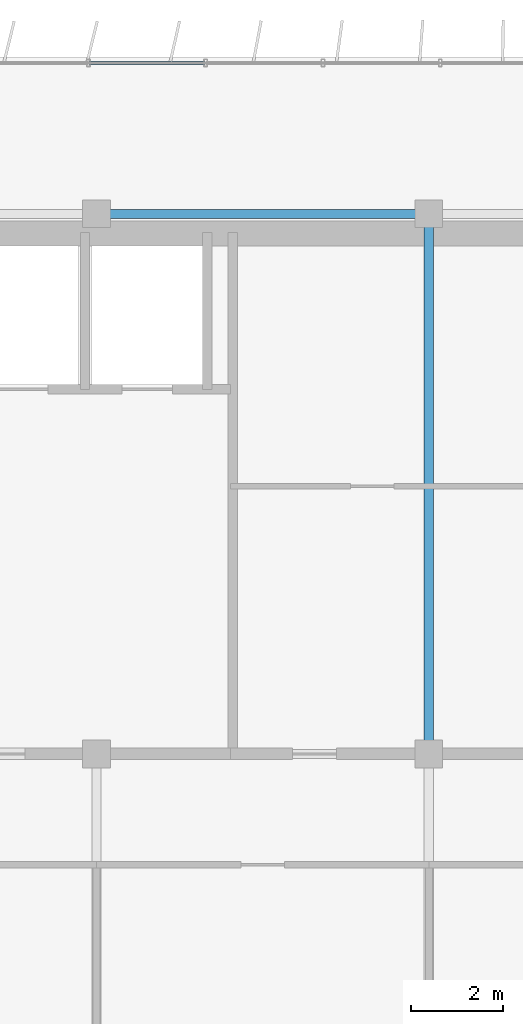
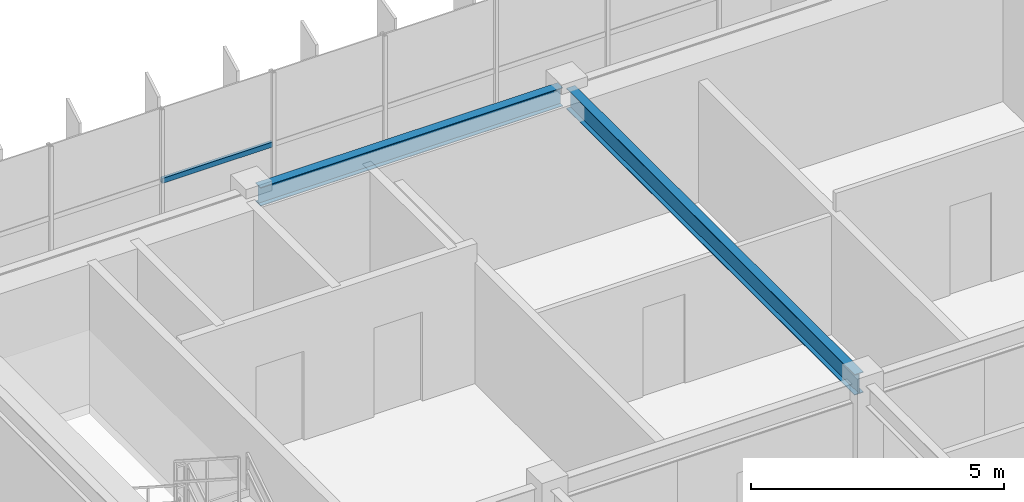
# One storey, part 7 of 21: 2 beams, 1 member, 1 element without a shape of its own.
"""IFC4 building model written with IfcOpenShell, lengths in metres."""

from ifc_helpers import new_model, si_unit, direction, frame, origin, origin_2d, place, context, subcontext, project, spatial, hollow_rectangle, i_section, extrude, source, transform, mapped, material, material_profile, profile_set, type_object, element, aggregate, save


model = new_model("IFC4")

# Units and contexts
model_context = context("Model", 3, precision=1e-05, world=origin(), true_north=direction((0.0, 1.0)))
body_context = subcontext(model_context, "Body", "Model", "MODEL_VIEW")
ifc_project = project(units=[si_unit("LENGTHUNIT", "METRE"), si_unit("AREAUNIT", "SQUARE_METRE"), si_unit("VOLUMEUNIT", "CUBIC_METRE"), si_unit("PLANEANGLEUNIT", "RADIAN"), si_unit("MASSUNIT", "GRAM", prefix="KILO")], contexts=[model_context])

# Site, building, storey
site_placement = place(None, origin())
site = spatial("IfcSite", under=ifc_project, at=site_placement, CompositionType="ELEMENT")
building_placement = place(site_placement, origin())
building = spatial("IfcBuilding", under=site, at=building_placement, Name="Trelvane Seafront Commons", CompositionType="ELEMENT")
storey_placement = place(building_placement, frame((0.0, 0.0, 252.300048828125)))
storey = spatial("IfcBuildingStorey", under=building, at=storey_placement, Name="L65", CompositionType="ELEMENT", Elevation=252.300048828125)

# Beams
ifc_material_1 = material(Name="Steel SM355 (S355)", Category="steel")
ifc_material_profile_1 = material_profile(ifc_material_1, i_section(OverallWidth=0.199951171875, OverallDepth=0.5, WebThickness=0.010009765625, FlangeThickness=0.01611328125, at=origin_2d()), Name="H-500x200x10x16")
ifc_profile_set_1 = profile_set([ifc_material_profile_1], Name="Steel SM355 (S355)")
beam_type_1 = type_object("IfcBeamType", Name="STR-BM-H500", PredefinedType="BEAM", material=ifc_profile_set_1)
shared_shape_1 = source(origin(), body_context, "Body", "SweptSolid", [
    extrude(i_section(OverallWidth=0.199951171875, OverallDepth=0.5, WebThickness=0.010009765625, FlangeThickness=0.01611328125, at=origin_2d()), origin(), (0.0, 0.0, 1.0), 11.39990234375),
])
beam_1_placement = place(storey_placement, frame((30.60009765625, 33.550048828125, 3.119873046875), z_axis=(0.0, 1.0, 0.0), x_axis=(-1.0, 0.0, 0.0)))
element("IfcBeam", 1, at=beam_1_placement, inside=storey, type_object=beam_type_1, Name="L65 Primary Girder G-40", PredefinedType="BEAM", context=body_context, shape_type="MappedRepresentation", body=[
    mapped(shared_shape_1, transform((0.0, 0.0, 0.0), x_axis=(1.0, 0.0, 0.0), y_axis=(0.0, 1.0, 0.0), z_axis=(0.0, 0.0, 1.0), scale=1.0)),
])
ifc_material_profile_2 = material_profile(ifc_material_1, i_section(OverallWidth=0.199951171875, OverallDepth=0.449951171875, WebThickness=0.009033203125, FlangeThickness=0.013916015625, at=origin_2d()), Name="H-450x200x9x14")
ifc_profile_set_2 = profile_set([ifc_material_profile_2], Name="Steel SM355 (S355)")
beam_type_2 = type_object("IfcBeamType", Name="STR-SPD-H450", PredefinedType="SPANDREL", material=ifc_profile_set_2)
shared_shape_2 = source(origin(), body_context, "Body", "SweptSolid", [
    extrude(i_section(OverallWidth=0.199951171875, OverallDepth=0.449951171875, WebThickness=0.009033203125, FlangeThickness=0.013916015625, at=origin_2d()), origin(), (0.0, 0.0, 1.0), 6.89990234375),
])
beam_2_placement = place(storey_placement, frame((23.550048828125, 45.10009765625, 3.14501953125), z_axis=(1.0, 0.0, 0.0), x_axis=(0.0, 1.0, 0.0)))
element("IfcBeam", 2, at=beam_2_placement, inside=storey, type_object=beam_type_2, Name="L65 Primary Girder G-24", PredefinedType="SPANDREL", context=body_context, shape_type="MappedRepresentation", body=[
    mapped(shared_shape_2, transform((0.0, 0.0, 0.0), x_axis=(1.0, 0.0, 0.0), y_axis=(0.0, 1.0, 0.0), z_axis=(0.0, 0.0, 1.0), scale=1.0)),
])

# Curtain wall, member
ifc_material_2 = material(Name="Anodised pale-silver aluminium", Category="aluminium")
curtain_wall_type = type_object("IfcCurtainWallType", Name="ARCH-CW5-UPTOWER", PredefinedType="NOTDEFINED", material=ifc_material_2)
curtain_wall_placement = place(storey_placement, origin())
curtain_wall = element("IfcCurtainWall", 3, at=curtain_wall_placement, inside=storey, type_object=curtain_wall_type, Name="CW-L65-0109", PredefinedType="NOTDEFINED")
ifc_material_profile_3 = material_profile(ifc_material_2, hollow_rectangle(XDim=0.070068359375, YDim=0.1201171875, WallThickness=0.00390625, at=origin_2d()), Name="TRAN-70x120x4")
ifc_profile_set_3 = profile_set([ifc_material_profile_3], Name="Anodised pale-silver aluminium")
member_type = type_object("IfcMemberType", Name="ARCH-CW-TRAN-120", PredefinedType="USERDEFINED", material=ifc_profile_set_3)
shared_shape_3 = source(origin(), body_context, "Body", "SweptSolid", [
    extrude(hollow_rectangle(XDim=0.070068359375, YDim=0.1201171875, WallThickness=0.00390625, at=origin_2d()), origin(), (0.0, 0.0, 1.0), 2.51708984375),
])
member_placement = place(storey_placement, frame((23.235595703125, 48.3701171875, 1.617919921875), z_axis=(1.0, 0.0, 0.0), x_axis=(0.0, 1.0, 0.0)))
member = element("IfcMember", 4, at=member_placement, type_object=member_type, Name="CW-L65-0109-T03", ObjectType="TRANSOM", PredefinedType="USERDEFINED", context=body_context, shape_type="MappedRepresentation", body=[
    mapped(shared_shape_3, transform((0.0, 0.0, 0.0), x_axis=(1.0, 0.0, 0.0), y_axis=(0.0, 1.0, 0.0), z_axis=(0.0, 0.0, 1.0), scale=1.0)),
])
aggregate(curtain_wall, [member])

save(model, "model.ifc")
